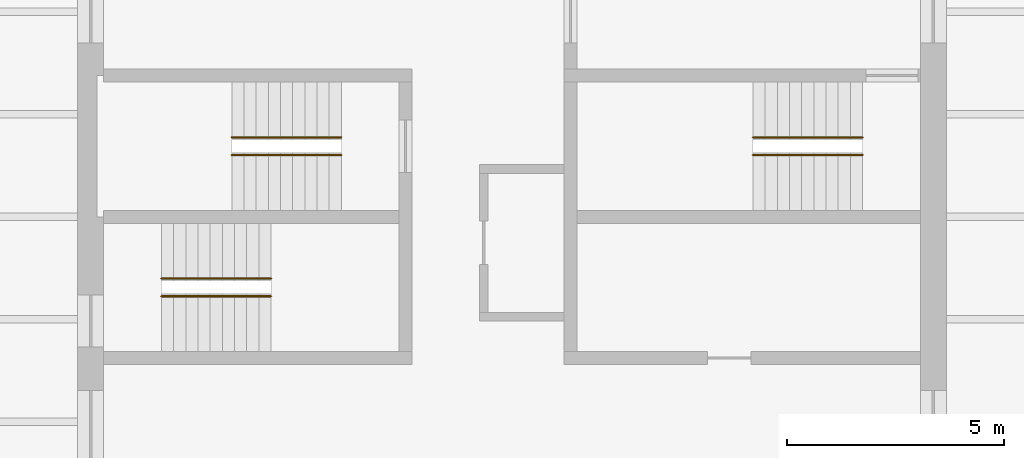
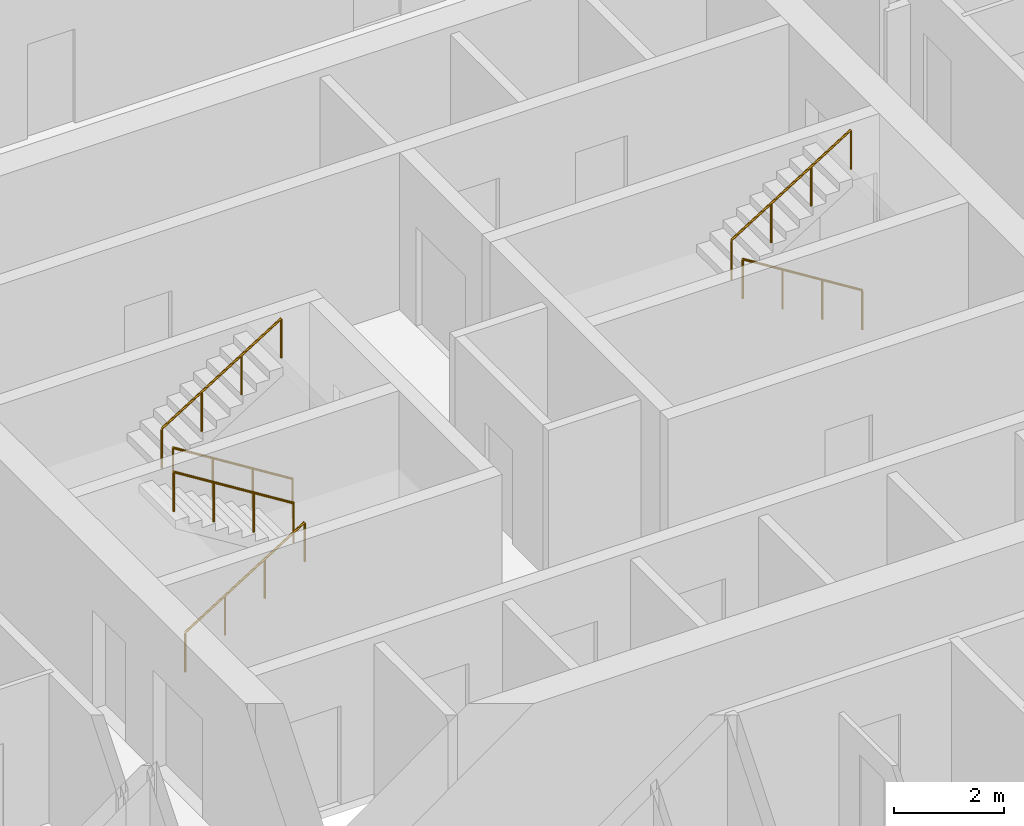
# One storey, part 9 of 9: 6 railings.
"""IFC4 building model written with IfcOpenShell, lengths in metres."""

from ifc_helpers import new_model, si_unit, direction, frame, origin, origin_2d, place, context, subcontext, project, spatial, circle, extrude, material, type_object, element, save


model = new_model("IFC4")

# Units and contexts
model_context = context("Model", 3, precision=1e-05, world=origin(), true_north=direction((0.0, 1.0)))
body_context = subcontext(model_context, "Body", "Model", "MODEL_VIEW")
ifc_project = project(units=[si_unit("LENGTHUNIT", "METRE"), si_unit("AREAUNIT", "SQUARE_METRE"), si_unit("VOLUMEUNIT", "CUBIC_METRE"), si_unit("PLANEANGLEUNIT", "RADIAN"), si_unit("MASSUNIT", "GRAM", prefix="KILO")], contexts=[model_context])

# Site, building, storey
site_placement = place(None, origin())
site = spatial("IfcSite", under=ifc_project, at=site_placement, CompositionType="ELEMENT")
building_placement = place(site_placement, origin())
building = spatial("IfcBuilding", under=site, at=building_placement, Name="Turquesa Mirador Hotel Tower", CompositionType="ELEMENT")
storey_placement = place(building_placement, frame((0.0, 0.0, 189.800048828125)))
storey = spatial("IfcBuildingStorey", under=building, at=storey_placement, Name="L51", CompositionType="ELEMENT", Elevation=189.800048828125)

# Railings
ifc_material = material(Name="Painted steel handrail", Category="steel")
railing_type = type_object("IfcRailingType", Name="HANDRAIL 900 STEEL", PredefinedType="HANDRAIL", material=ifc_material)
railing_1_placement = place(storey_placement, frame((51.070068359375, 46.419921875, 0.175048828125)))
element("IfcRailing", 1, at=railing_1_placement, inside=storey, type_object=railing_type, Name="Handrail ST1", PredefinedType="HANDRAIL", context=body_context, shape_type="SweptSolid", body=[
    extrude(circle(Radius=0.02392578125, at=origin_2d()), frame((0.0, 0.0, 0.8759765625), z_axis=(-0.848007534815, 0.0, 0.529984170421), x_axis=(0.0, -1.0, 0.0)), (0.0, 0.0, 1.0), 2.9716796875),
    extrude(circle(Radius=0.02099609375, at=origin_2d()), origin(), (0.0, 0.0, 1.0), 0.851806640625),
    extrude(circle(Radius=0.02099609375, at=origin_2d()), frame((-0.840087890625, 0.0, 0.52490234375)), (0.0, 0.0, 1.0), 0.851806640625),
    extrude(circle(Radius=0.02099609375, at=origin_2d()), frame((-1.679931640625, 0.0, 1.050048828125)), (0.0, 0.0, 1.0), 0.851806640625),
    extrude(circle(Radius=0.02099609375, at=origin_2d()), frame((-2.52001953125, 0.0, 1.574951171875)), (0.0, 0.0, 1.0), 0.851806640625),
])
for number, where, name in (
    (2, (48.550048828125, 46.830078125, 1.925048828125), "Handrail ST1"),
    (3, (46.929931640625, 43.169921875, 0.175048828125), "Handrail ST2"),
):
    element("IfcRailing", number, at=place(storey_placement, frame(where)), inside=storey, type_object=railing_type, Name=name, PredefinedType="HANDRAIL", context=body_context, shape_type="SweptSolid", body=[
        extrude(circle(Radius=0.02392578125, at=origin_2d()), frame((0.0, 0.0, 0.8759765625), z_axis=(0.848007534815, 0.0, 0.529984170421), x_axis=(0.0, 1.0, 0.0)), (0.0, 0.0, 1.0), 2.9716796875),
        extrude(circle(Radius=0.02099609375, at=origin_2d()), origin(), (0.0, 0.0, 1.0), 0.851806640625),
        extrude(circle(Radius=0.02099609375, at=origin_2d()), frame((0.840087890625, 0.0, 0.52490234375)), (0.0, 0.0, 1.0), 0.851806640625),
        extrude(circle(Radius=0.02099609375, at=origin_2d()), frame((1.679931640625, 0.0, 1.050048828125)), (0.0, 0.0, 1.0), 0.851806640625),
        extrude(circle(Radius=0.02099609375, at=origin_2d()), frame((2.52001953125, 0.0, 1.574951171875)), (0.0, 0.0, 1.0), 0.851806640625),
    ])
for number, where, name in (
    (4, (49.449951171875, 43.580078125, 1.925048828125), "Handrail ST2"),
    (5, (63.070068359375, 46.419921875, 0.175048828125), "Handrail ST3"),
):
    element("IfcRailing", number, at=place(storey_placement, frame(where)), inside=storey, type_object=railing_type, Name=name, PredefinedType="HANDRAIL", context=body_context, shape_type="SweptSolid", body=[
        extrude(circle(Radius=0.02392578125, at=origin_2d()), frame((0.0, 0.0, 0.8759765625), z_axis=(-0.848007534815, 0.0, 0.529984170421), x_axis=(0.0, -1.0, 0.0)), (0.0, 0.0, 1.0), 2.9716796875),
        extrude(circle(Radius=0.02099609375, at=origin_2d()), origin(), (0.0, 0.0, 1.0), 0.851806640625),
        extrude(circle(Radius=0.02099609375, at=origin_2d()), frame((-0.840087890625, 0.0, 0.52490234375)), (0.0, 0.0, 1.0), 0.851806640625),
        extrude(circle(Radius=0.02099609375, at=origin_2d()), frame((-1.679931640625, 0.0, 1.050048828125)), (0.0, 0.0, 1.0), 0.851806640625),
        extrude(circle(Radius=0.02099609375, at=origin_2d()), frame((-2.52001953125, 0.0, 1.574951171875)), (0.0, 0.0, 1.0), 0.851806640625),
    ])
railing_2_placement = place(storey_placement, frame((60.550048828125, 46.830078125, 1.925048828125)))
element("IfcRailing", 6, at=railing_2_placement, inside=storey, type_object=railing_type, Name="Handrail ST3", PredefinedType="HANDRAIL", context=body_context, shape_type="SweptSolid", body=[
    extrude(circle(Radius=0.02392578125, at=origin_2d()), frame((0.0, 0.0, 0.8759765625), z_axis=(0.848007534815, 0.0, 0.529984170421), x_axis=(0.0, 1.0, 0.0)), (0.0, 0.0, 1.0), 2.9716796875),
    extrude(circle(Radius=0.02099609375, at=origin_2d()), origin(), (0.0, 0.0, 1.0), 0.851806640625),
    extrude(circle(Radius=0.02099609375, at=origin_2d()), frame((0.840087890625, 0.0, 0.52490234375)), (0.0, 0.0, 1.0), 0.851806640625),
    extrude(circle(Radius=0.02099609375, at=origin_2d()), frame((1.679931640625, 0.0, 1.050048828125)), (0.0, 0.0, 1.0), 0.851806640625),
    extrude(circle(Radius=0.02099609375, at=origin_2d()), frame((2.52001953125, 0.0, 1.574951171875)), (0.0, 0.0, 1.0), 0.851806640625),
])

save(model, "model.ifc")
